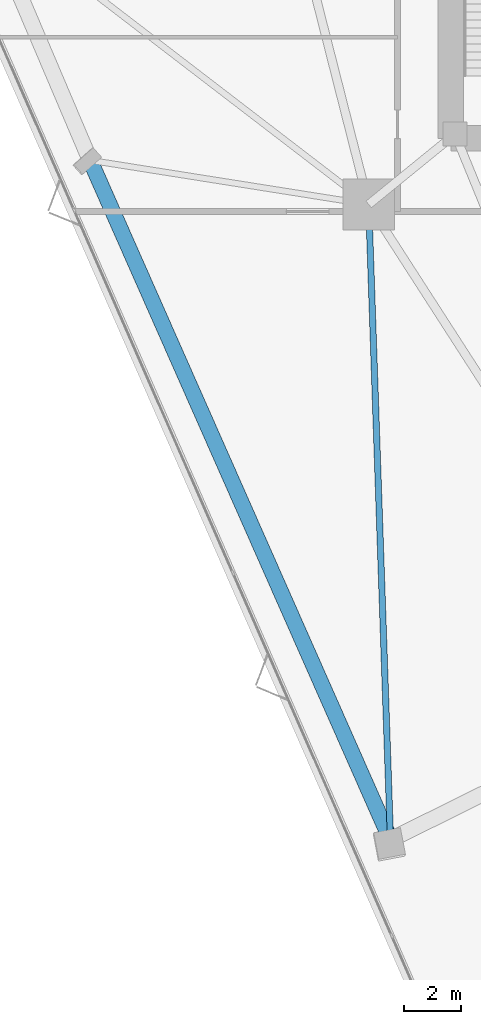
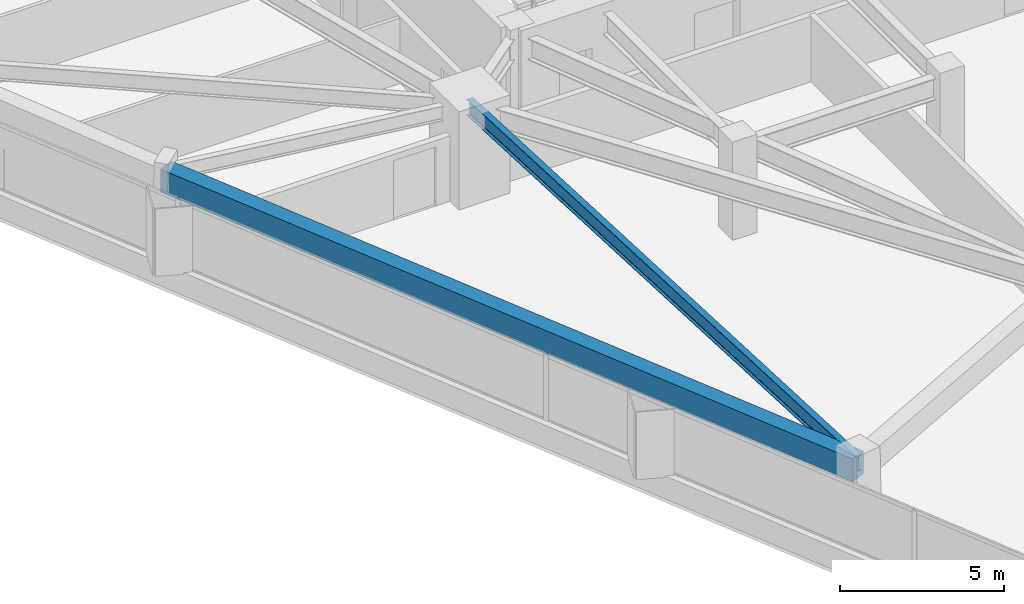
# One storey, part 3 of 20: 2 beams.
"""IFC4 building model written with IfcOpenShell, lengths in metres."""

from ifc_helpers import new_model, si_unit, direction, frame, origin, origin_2d, place, context, subcontext, project, spatial, rectangle, i_section, extrude, material, material_profile, profile_set, type_object, element, save


model = new_model("IFC4")

# Units and contexts
model_context = context("Model", 3, precision=1e-05, world=origin(), true_north=direction((0.0, 1.0)))
body_context = subcontext(model_context, "Body", "Model", "MODEL_VIEW")
ifc_project = project(units=[si_unit("LENGTHUNIT", "METRE"), si_unit("AREAUNIT", "SQUARE_METRE"), si_unit("VOLUMEUNIT", "CUBIC_METRE"), si_unit("PLANEANGLEUNIT", "RADIAN"), si_unit("MASSUNIT", "GRAM", prefix="KILO")], contexts=[model_context])

# Site, building, storey
site_placement = place(None, origin())
site = spatial("IfcSite", under=ifc_project, at=site_placement, CompositionType="ELEMENT")
building_placement = place(site_placement, origin())
building = spatial("IfcBuilding", under=site, at=building_placement, Name="Talyreon Biosciences Tower", CompositionType="ELEMENT")
storey_placement = place(building_placement, frame((0.0, 0.0, 62.949951171875)))
storey = spatial("IfcBuildingStorey", under=building, at=storey_placement, Name="L16", CompositionType="ELEMENT", Elevation=62.949951171875)

# Beams
ifc_material_1 = material(Name="Precast concrete C45/55", Category="concrete")
ifc_material_profile_1 = material_profile(ifc_material_1, rectangle(XDim=0.550048828125, YDim=0.85009765625, at=origin_2d()), Name="RCB 550x850")
ifc_profile_set_1 = profile_set([ifc_material_profile_1], Name="Precast concrete C45/55")
beam_type_1 = type_object("IfcBeamType", Name="ExpressedSpandrel_550x850", PredefinedType="SPANDREL", material=ifc_profile_set_1)
beam_1_placement = place(storey_placement, frame((45.124267578125, 60.4306640625, 2.875), z_axis=(0.404383112476, -0.914589688518, 0.0), x_axis=(0.914589688518, 0.404383112476, 0.0)))
element("IfcBeam", 1, at=beam_1_placement, inside=storey, type_object=beam_type_1, Name="L16 Expressed Horizontal Concrete Spandrel 11", PredefinedType="SPANDREL", context=body_context, shape_type="SweptSolid", body=[
    extrude(rectangle(XDim=0.550048828125, YDim=0.85009765625, at=origin_2d()), origin(), (0.0, 0.0, 1.0), 26.104248046875),
])
ifc_material_2 = material(Name="Steel SM355", Category="steel")
ifc_material_profile_2 = material_profile(ifc_material_2, i_section(OverallWidth=0.219970703125, OverallDepth=0.60009765625, WebThickness=0.011962890625, FlangeThickness=0.01904296875, FilletRadius=0.02392578125, at=origin_2d()), Name="IPE600")
ifc_profile_set_2 = profile_set([ifc_material_profile_2], Name="Steel SM355")
beam_type_2 = type_object("IfcBeamType", Name="SteelJoist_IPE600", PredefinedType="JOIST", material=ifc_profile_set_2)
beam_2_placement = place(storey_placement, frame((54.913818359375, 58.88037109375, 3.0), z_axis=(0.034318854067, -0.999410934629, 0.0), x_axis=(0.999410934629, 0.034318854067, 0.0)))
element("IfcBeam", 2, at=beam_2_placement, inside=storey, type_object=beam_type_2, Name="L16 Radial Composite Floor Joist PC-SW2", PredefinedType="JOIST", context=body_context, shape_type="SweptSolid", body=[
    extrude(i_section(OverallWidth=0.219970703125, OverallDepth=0.60009765625, WebThickness=0.011962890625, FlangeThickness=0.01904296875, FilletRadius=0.02392578125, at=origin_2d()), origin(), (0.0, 0.0, 1.0), 22.337646484375),
])

save(model, "model.ifc")
